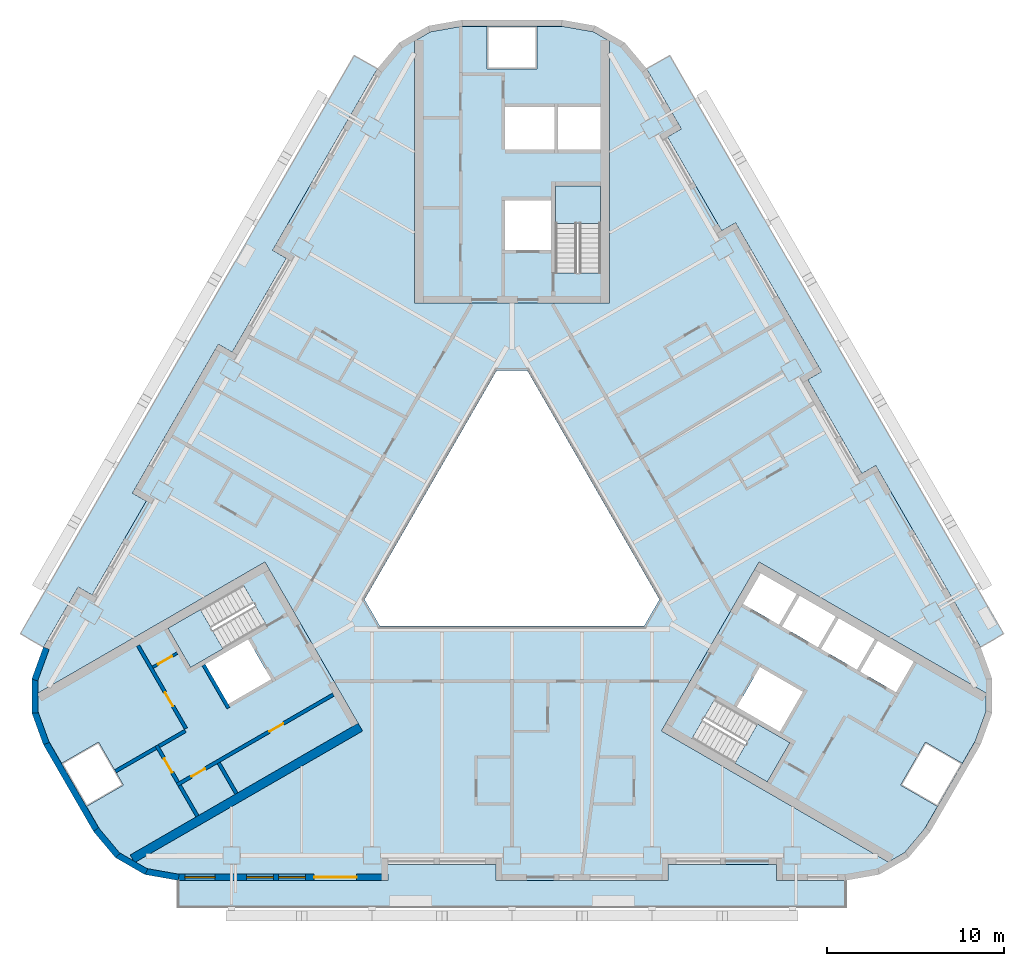
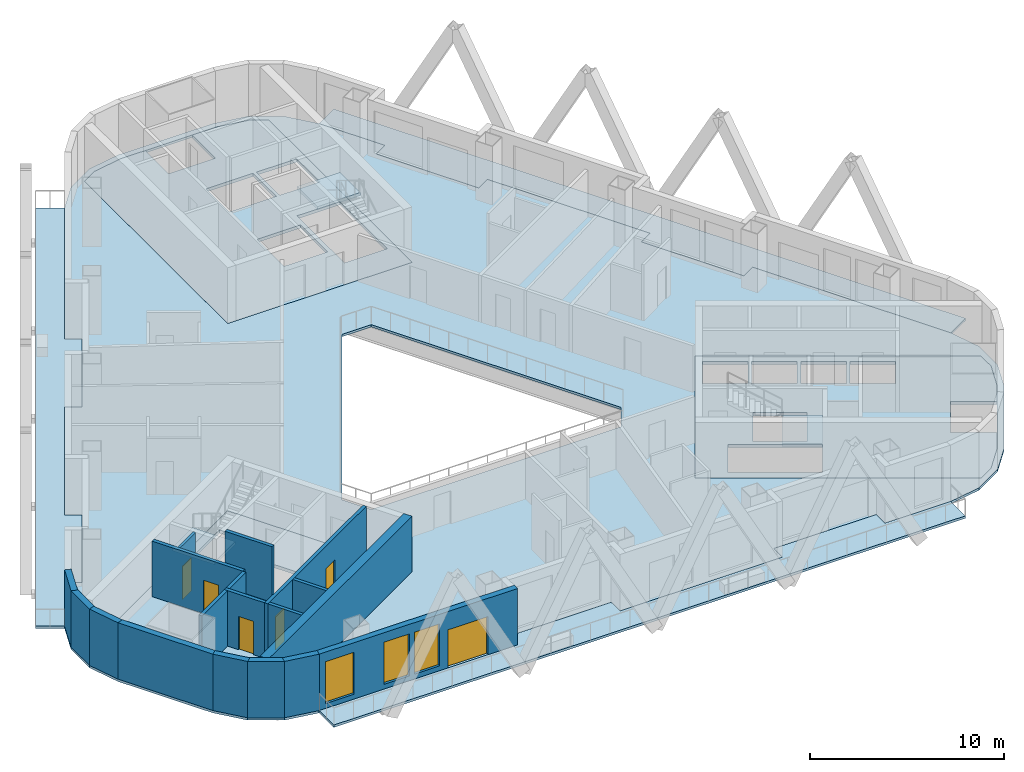
# One storey, part 2 of 13: 18 walls, 10 slabs, 6 doors, 3 windows, 9 openings, 3 elements without a shape of their own.
"""IFC4 building model written with IfcOpenShell, lengths in metres."""

from ifc_helpers import new_model, si_unit, direction, frame, frame_2d, origin, place, context, subcontext, project, spatial, polyline, rectangle, outline, extrude, material, layer, layer_set, type_object, element, fill, aggregate, save


model = new_model("IFC4")

# Units and contexts
model_context = context("Model", 3, precision=1e-05, world=origin(), true_north=direction((0.0, 1.0)))
body_context = subcontext(model_context, "Body", "Model", "MODEL_VIEW")
ifc_project = project(units=[si_unit("LENGTHUNIT", "METRE"), si_unit("AREAUNIT", "SQUARE_METRE"), si_unit("VOLUMEUNIT", "CUBIC_METRE"), si_unit("PLANEANGLEUNIT", "RADIAN"), si_unit("MASSUNIT", "GRAM", prefix="KILO")], contexts=[model_context])

# Site, building, storey
site_placement = place(None, origin())
site = spatial("IfcSite", under=ifc_project, at=site_placement, CompositionType="ELEMENT")
building_placement = place(site_placement, origin())
building = spatial("IfcBuilding", under=site, at=building_placement, Name="Apuvela Tower Hotel", CompositionType="ELEMENT")
storey_placement = place(building_placement, frame((0.0, 0.0, 61.300048828125)))
storey = spatial("IfcBuildingStorey", under=building, at=storey_placement, Name="L12", CompositionType="ELEMENT", Elevation=61.300048828125)

# Slabs
ifc_material_1 = material(Name="Concrete C50/60", Category="concrete")
ifc_layer_1 = layer(ifc_material_1, 0.199951171875)
ifc_layer_set_1 = layer_set([ifc_layer_1], Name="COR-FLOOR-200")
slab_type_1 = type_object("IfcSlabType", Name="COR-FLOOR-200", PredefinedType="FLOOR", material=ifc_layer_set_1)
slab_1_placement = place(storey_placement, frame((0.0, 0.0, -0.199951171875)))
element("IfcSlab", 1, at=slab_1_placement, inside=storey, type_object=slab_type_1, Name="Core floor N", PredefinedType="FLOOR", context=body_context, shape_type="SweptSolid", body=[
    extrude(outline(polyline([(5.5, 27.668212890625), (4.588623046875, 28.1943359375), (2.85498046875, 28.5), (1.39990234375, 28.5), (1.39990234375, 26.10009765625), (-1.39990234375, 26.10009765625), (-1.39990234375, 28.5), (-2.85498046875, 28.5), (-4.588623046875, 28.1943359375), (-5.5, 27.668212890625), (-5.5, 12.89990234375), (5.5, 12.89990234375), (5.5, 27.668212890625)]), holes=[polyline([(5.0, 14.60595703125), (2.449951171875, 14.60595703125), (2.449951171875, 19.5), (5.0, 19.5), (5.0, 14.60595703125)]), polyline([(2.199951171875, 15.89990234375), (-0.39990234375, 15.89990234375), (-0.39990234375, 18.699951171875), (2.199951171875, 18.699951171875), (2.199951171875, 15.89990234375)]), polyline([(5.0, 21.550048828125), (2.60009765625, 21.550048828125), (2.60009765625, 23.949951171875), (5.0, 23.949951171875), (5.0, 21.550048828125)]), polyline([(2.39990234375, 21.550048828125), (-0.39990234375, 21.550048828125), (-0.39990234375, 23.949951171875), (2.39990234375, 23.949951171875), (2.39990234375, 21.550048828125)])]), origin(), (0.0, 0.0, 1.0), 0.199951171875),
])
slab_2_placement = place(storey_placement, frame((0.0, 0.0, -0.199951171875)))
element("IfcSlab", 2, at=slab_2_placement, inside=storey, type_object=slab_type_1, Name="Core floor SW", PredefinedType="FLOOR", context=body_context, shape_type="SweptSolid", body=[
    extrude(outline(polyline([(-26.711181640625, -9.07080078125), (-26.711181640625, -10.123291015625), (-26.109375, -11.77734375), (-25.381591796875, -13.03759765625), (-23.30322265625, -11.837646484375), (-21.9033203125, -14.262451171875), (-23.981689453125, -15.46240234375), (-23.254150390625, -16.72265625), (-22.122802734375, -18.071044921875), (-21.211181640625, -18.59716796875), (-8.421630859375, -11.213134765625), (-13.921630859375, -1.68701171875), (-26.711181640625, -9.07080078125)]), holes=[polyline([(-13.874267578125, -5.18115234375), (-18.112548828125, -7.628173828125), (-19.387451171875, -5.419921875), (-15.149169921875, -2.972900390625), (-13.874267578125, -5.18115234375)]), polyline([(-13.56982421875, -8.29638671875), (-15.99462890625, -9.6962890625), (-17.294677734375, -7.444580078125), (-14.869873046875, -6.044677734375), (-13.56982421875, -8.29638671875)])]), origin(), (0.0, 0.0, 1.0), 0.199951171875),
])
slab_3_placement = place(storey_placement, frame((0.0, 0.0, -0.199951171875)))
element("IfcSlab", 3, at=slab_3_placement, inside=storey, type_object=slab_type_1, Name="Core floor SE", PredefinedType="FLOOR", context=body_context, shape_type="SweptSolid", body=[
    extrude(outline(polyline([(21.211181640625, -18.59716796875), (22.122802734375, -18.071044921875), (23.254150390625, -16.72265625), (23.981689453125, -15.46240234375), (21.9033203125, -14.262451171875), (23.30322265625, -11.837646484375), (25.381591796875, -13.03759765625), (26.109375, -11.77734375), (26.711181640625, -10.123291015625), (26.711181640625, -9.07080078125), (13.921630859375, -1.68701171875), (8.421630859375, -11.213134765625), (21.211181640625, -18.59716796875)]), holes=[polyline([(13.01806640625, -4.052001953125), (14.01806640625, -2.31982421875), (16.044677734375, -3.489990234375), (15.044677734375, -5.221923828125), (13.01806640625, -4.052001953125)]), polyline([(17.244384765625, -6.491943359375), (15.2177734375, -5.322021484375), (16.2177734375, -3.58984375), (18.244384765625, -4.760009765625), (17.244384765625, -6.491943359375)]), polyline([(14.387451171875, -14.080078125), (10.149169921875, -11.633056640625), (11.42431640625, -9.4248046875), (15.66259765625, -11.871826171875), (14.387451171875, -14.080078125)]), polyline([(12.669921875, -9.855224609375), (13.9697265625, -7.603515625), (16.394775390625, -9.003662109375), (15.0947265625, -11.25537109375), (12.669921875, -9.855224609375)]), polyline([(19.444091796875, -7.761962890625), (17.41748046875, -6.591796875), (18.41748046875, -4.85986328125), (20.444091796875, -6.02978515625), (19.444091796875, -7.761962890625)]), polyline([(21.643798828125, -9.031982421875), (19.6171875, -7.86181640625), (20.6171875, -6.1298828125), (22.643798828125, -7.2998046875), (21.643798828125, -9.031982421875)])]), origin(), (0.0, 0.0, 1.0), 0.199951171875),
])

# Stair, slab
stair_type = type_object("IfcStairType", Name="COR-STAIR-22R", PredefinedType="HALF_TURN_STAIR", material=ifc_material_1)
stair_1_placement = place(storey_placement, origin())
stair_1 = element("IfcStair", 4, at=stair_1_placement, inside=storey, type_object=stair_type, Name="L12 Exit stair ST1", PredefinedType="HALF_TURN_STAIR")
ifc_layer_2 = layer(ifc_material_1, 0.199951171875)
ifc_layer_set_2 = layer_set([ifc_layer_2], Name="COR-LANDING-200")
slab_type_2 = type_object("IfcSlabType", Name="COR-LANDING-200", PredefinedType="LANDING", material=ifc_layer_set_2)
slab_4_placement = place(storey_placement, frame((0.0, 0.0, 1.64990234375)))
slab_4 = element("IfcSlab", 5, at=slab_4_placement, type_object=slab_type_2, Name="ST1 landing 1", PredefinedType="LANDING", context=body_context, shape_type="SweptSolid", body=[
    extrude(outline(polyline([(5.0, 17.39404296875), (5.0, 19.5), (2.449951171875, 19.5), (2.449951171875, 17.39404296875), (5.0, 17.39404296875)])), origin(), (0.0, 0.0, 1.0), 0.199951171875),
])
aggregate(stair_1, [slab_4])

stair_2_placement = place(storey_placement, origin())
stair_2 = element("IfcStair", 6, at=stair_2_placement, inside=storey, type_object=stair_type, Name="L12 Exit stair ST2", PredefinedType="HALF_TURN_STAIR")
slab_5_placement = place(storey_placement, frame((0.0, 0.0, 1.64990234375)))
slab_5 = element("IfcSlab", 7, at=slab_5_placement, type_object=slab_type_2, Name="ST2 landing 1", PredefinedType="LANDING", context=body_context, shape_type="SweptSolid", body=[
    extrude(outline(polyline([(-17.563720703125, -4.366943359375), (-19.387451171875, -5.419921875), (-18.112548828125, -7.628173828125), (-16.28857421875, -6.5751953125), (-17.563720703125, -4.366943359375)])), origin(), (0.0, 0.0, 1.0), 0.199951171875),
])
aggregate(stair_2, [slab_5])

stair_3_placement = place(storey_placement, origin())
stair_3 = element("IfcStair", 8, at=stair_3_placement, inside=storey, type_object=stair_type, Name="L12 Exit stair ST3", PredefinedType="HALF_TURN_STAIR")
slab_6_placement = place(storey_placement, frame((0.0, 0.0, 1.64990234375)))
slab_6 = element("IfcSlab", 9, at=slab_6_placement, type_object=slab_type_2, Name="ST3 landing 1", PredefinedType="LANDING", context=body_context, shape_type="SweptSolid", body=[
    extrude(outline(polyline([(12.563720703125, -13.027099609375), (14.387451171875, -14.080078125), (15.66259765625, -11.871826171875), (13.838623046875, -10.81884765625), (12.563720703125, -13.027099609375)])), origin(), (0.0, 0.0, 1.0), 0.199951171875),
])
aggregate(stair_3, [slab_6])

# Slabs
ifc_material_2 = material(Name="Concrete C40/50, fair-faced", Category="concrete")
ifc_layer_3 = layer(ifc_material_2, 0.14990234375)
ifc_layer_set_3 = layer_set([ifc_layer_3], Name="ENV-BALCONY-150")
slab_type_3 = type_object("IfcSlabType", Name="ENV-BALCONY-150", PredefinedType="FLOOR", material=ifc_layer_set_3)
slab_7_placement = place(storey_placement, frame((0.0, 0.0, -0.150146484375)))
element("IfcSlab", 10, at=slab_7_placement, inside=storey, type_object=slab_type_3, Name="Balcony slab S L12", PredefinedType="FLOOR", context=body_context, shape_type="SweptSolid", body=[
    extrude(outline(polyline([(18.82080078125, -21.135009765625), (-18.82080078125, -21.135009765625), (-18.82080078125, -19.625), (-7.0048828125, -19.625), (-7.0048828125, -18.72509765625), (-0.89501953125, -18.72509765625), (-0.89501953125, -19.625), (8.794921875, -19.625), (8.794921875, -18.72509765625), (14.905029296875, -18.72509765625), (14.905029296875, -19.625), (18.82080078125, -19.625), (18.82080078125, -21.135009765625)])), origin(), (0.0, 0.0, 1.0), 0.150146484375),
])
slab_8_placement = place(storey_placement, frame((0.0, 0.0, -0.150146484375)))
element("IfcSlab", 11, at=slab_8_placement, inside=storey, type_object=slab_type_3, Name="Balcony slab NE L12", PredefinedType="FLOOR", context=body_context, shape_type="SweptSolid", body=[
    extrude(outline(polyline([(17.443359375, 9.037353515625), (12.598388671875, 17.42919921875), (11.81884765625, 16.979248046875), (8.763916015625, 22.2705078125), (9.543212890625, 22.720703125), (7.585205078125, 26.11181640625), (8.89306640625, 26.86669921875), (27.7138671875, -5.731689453125), (26.40625, -6.48681640625), (20.498291015625, 3.74609375), (19.71875, 3.2958984375), (16.663818359375, 8.58740234375), (17.443359375, 9.037353515625)])), origin(), (0.0, 0.0, 1.0), 0.150146484375),
])
slab_9_placement = place(storey_placement, frame((0.0, 0.0, -0.150146484375)))
element("IfcSlab", 12, at=slab_9_placement, inside=storey, type_object=slab_type_3, Name="Balcony slab NW L12", PredefinedType="FLOOR", context=body_context, shape_type="SweptSolid", body=[
    extrude(outline(polyline([(-27.7138671875, -5.731689453125), (-8.89306640625, 26.86669921875), (-7.585205078125, 26.11181640625), (-13.4931640625, 15.87890625), (-12.7138671875, 15.428955078125), (-15.768798828125, 10.1376953125), (-16.548095703125, 10.587646484375), (-21.393310546875, 2.19580078125), (-20.61376953125, 1.745849609375), (-23.668701171875, -3.545654296875), (-24.4482421875, -3.095703125), (-26.40625, -6.48681640625), (-27.7138671875, -5.731689453125)])), origin(), (0.0, 0.0, 1.0), 0.150146484375),
])
ifc_material_3 = material(Name="Concrete C35/45", Category="concrete")
ifc_layer_4 = layer(ifc_material_3, 0.14990234375)
ifc_layer_set_4 = layer_set([ifc_layer_4], Name="STR-SLAB 150 floor Concrete C35/45")
slab_type_4 = type_object("IfcSlabType", Name="STR-SLAB 150 floor Concrete C35/45", PredefinedType="FLOOR", material=ifc_layer_set_4)
slab_10_placement = place(storey_placement, frame((0.0, 0.0, -0.150146484375)))
element("IfcSlab", 13, at=slab_10_placement, inside=storey, type_object=slab_type_4, Name="Floor slab S4 L12", PredefinedType="FLOOR", context=body_context, shape_type="SweptSolid", body=[
    extrude(outline(polyline([(-6.3642578125, 27.5732421875), (-4.710205078125, 28.5283203125), (-2.8291015625, 28.860107421875), (2.8291015625, 28.860107421875), (4.710205078125, 28.5283203125), (6.3642578125, 27.5732421875), (7.59228515625, 26.110107421875), (9.550048828125, 22.71875), (8.770751953125, 22.268798828125), (11.82080078125, 16.986083984375), (12.60009765625, 17.43603515625), (17.4501953125, 9.035400390625), (16.670654296875, 8.58544921875), (19.720703125, 3.302734375), (20.5, 3.752685546875), (26.407958984375, -6.47998046875), (27.061279296875, -8.27490234375), (27.061279296875, -10.18505859375), (26.407958984375, -11.97998046875), (23.5791015625, -16.8798828125), (22.351318359375, -18.34326171875), (20.697021484375, -19.29833984375), (18.81591796875, -19.6298828125), (14.89990234375, -19.6298828125), (14.89990234375, -18.72998046875), (8.800048828125, -18.72998046875), (8.800048828125, -19.6298828125), (-0.89990234375, -19.6298828125), (-0.89990234375, -18.72998046875), (-7.0, -18.72998046875), (-7.0, -19.6298828125), (-18.81591796875, -19.6298828125), (-20.697021484375, -19.29833984375), (-22.351318359375, -18.34326171875), (-23.5791015625, -16.8798828125), (-26.407958984375, -11.97998046875), (-27.061279296875, -10.18505859375), (-27.061279296875, -8.27490234375), (-26.407958984375, -6.47998046875), (-24.4501953125, -3.088623046875), (-23.670654296875, -3.538818359375), (-20.62060546875, 1.743896484375), (-21.400146484375, 2.194091796875), (-16.550048828125, 10.594482421875), (-15.7705078125, 10.14453125), (-12.720703125, 15.42724609375), (-13.5, 15.877197265625), (-7.59228515625, 26.110107421875), (-6.3642578125, 27.5732421875)]), holes=[polyline([(0.865966796875, 9.10009765625), (-0.865966796875, 9.10009765625), (-8.313720703125, -3.800048828125), (-7.44775390625, -5.300048828125), (7.44775390625, -5.300048828125), (8.313720703125, -3.800048828125), (0.865966796875, 9.10009765625)]), polyline([(-5.5, 12.89990234375), (-5.5, 27.668212890625), (-4.588623046875, 28.1943359375), (-2.85498046875, 28.5), (2.85498046875, 28.5), (4.588623046875, 28.1943359375), (5.5, 27.668212890625), (5.5, 12.89990234375), (-5.5, 12.89990234375)]), polyline([(-8.421630859375, -11.213134765625), (-21.211181640625, -18.59716796875), (-22.122802734375, -18.071044921875), (-23.254150390625, -16.72265625), (-26.109375, -11.77734375), (-26.711181640625, -10.123291015625), (-26.711181640625, -9.07080078125), (-13.921630859375, -1.68701171875), (-8.421630859375, -11.213134765625)]), polyline([(13.921630859375, -1.68701171875), (26.711181640625, -9.07080078125), (26.711181640625, -10.123291015625), (26.109375, -11.77734375), (23.254150390625, -16.72265625), (22.122802734375, -18.071044921875), (21.211181640625, -18.59716796875), (8.421630859375, -11.213134765625), (13.921630859375, -1.68701171875)])]), origin(), (0.0, 0.0, 1.0), 0.150146484375),
])

# Wall
ifc_layer_5 = layer(ifc_material_1, 0.5)
ifc_layer_set_5 = layer_set([ifc_layer_5], Name="COR-WALL-CORE-500")
wall_type_1 = type_object("IfcWallType", Name="COR-WALL-CORE-500", PredefinedType="SHEAR", material=ifc_layer_set_5)
wall_1_placement = place(storey_placement, frame((-8.546630859375, -10.99658203125, 0.0), z_axis=(0.0, 0.0, 1.0), x_axis=(-0.866025009528, -0.500000682871, 0.0)))
element("IfcWall", 14, at=wall_1_placement, inside=storey, type_object=wall_type_1, Name="Core wall SW", PredefinedType="SHEAR", context=body_context, shape_type="SweptSolid", body=[
    extrude(rectangle(XDim=14.8369140625, YDim=0.5, at=frame_2d((7.41845703125, 0.0))), origin(), (0.0, 0.0, 1.0), 3.5),
])

# Wall, opening, door
ifc_material_4 = material(Name="Blockwork 150 mm plastered", Category="masonry")
ifc_layer_6 = layer(ifc_material_4, 0.14990234375)
ifc_layer_set_6 = layer_set([ifc_layer_6], Name="COR-WALL-PART-150")
wall_type_2 = type_object("IfcWallType", Name="COR-WALL-PART-150", PredefinedType="PARTITIONING", material=ifc_layer_set_6)
wall_2_placement = place(storey_placement, frame((-18.866455078125, -6.822265625, 0.0), z_axis=(0.0, 0.0, 1.0), x_axis=(-0.866028054938, -0.499995408039, 0.0)))
wall_2 = element("IfcWall", 15, at=wall_2_placement, inside=storey, type_object=wall_type_2, Name="Partition SW", PredefinedType="PARTITIONING", context=body_context, shape_type="SweptSolid", body=[
    extrude(rectangle(XDim=1.60009765625, YDim=0.14990234375, at=frame_2d((0.800048828125, 0.0))), origin(), (0.0, 0.0, 1.0), 3.5),
])
opening_1_placement = place(wall_2_placement, frame((0.35009765625, 0.0, 0.0)))
opening_1 = element("IfcOpeningElement", 16, at=opening_1_placement, cuts=wall_2, Name="Opening W-RD", PredefinedType="OPENING", context=body_context, shape_type="SweptSolid", body=[
    extrude(rectangle(XDim=0.89990234375, YDim=2.10009765625, at=frame_2d((0.449951171875, 1.050048828125))), frame((0.0, 0.0849609375, 0.0), z_axis=(0.0, -1.0, 0.0), x_axis=(1.0, 0.0, 0.0)), (0.0, 0.0, 1.0), 0.169921875),
])
ifc_material_5 = material(Name="Steel access door, powder coated", Category="steel")
door_type_1 = type_object("IfcDoorType", Name="COR-RD-900", OperationType="NOTDEFINED", PredefinedType="DOOR", material=ifc_material_5)
door_1_placement = place(opening_1_placement, frame((0.89990234375, 0.0, 0.0), z_axis=(0.0, 0.0, 1.0), x_axis=(-1.0, 0.0, 0.0)))
door_1 = element("IfcDoor", 17, at=door_1_placement, inside=storey, type_object=door_type_1, Name="Riser door W-RD", OperationType="SINGLE_SWING_RIGHT", OverallHeight=2.10009765625, OverallWidth=0.89990234375, PredefinedType="DOOR", context=body_context, shape_type="SweptSolid", body=[
    extrude(rectangle(XDim=0.89990234375, YDim=2.10009765625, at=frame_2d((0.449951171875, 1.050048828125))), frame((0.0, 0.02490234375, 0.0), z_axis=(0.0, -1.0, 0.0), x_axis=(1.0, 0.0, 0.0)), (0.0, 0.0, 1.0), 0.050048828125),
])
fill(opening_1, door_1)

ifc_material_6 = material(Name="Blockwork 200 mm plastered", Category="masonry")
ifc_layer_7 = layer(ifc_material_6, 0.199951171875)
ifc_layer_set_7 = layer_set([ifc_layer_7], Name="COR-WALL-PART-200")
wall_type_3 = type_object("IfcWallType", Name="COR-WALL-PART-200", PredefinedType="PARTITIONING", material=ifc_layer_set_7)
wall_3_placement = place(storey_placement, frame((-21.076171875, -6.39501953125, 0.0), z_axis=(0.0, 0.0, 1.0), x_axis=(0.50001468107, -0.866016927499, 0.0)))
wall_3 = element("IfcWall", 18, at=wall_3_placement, inside=storey, type_object=wall_type_3, Name="Partition SW", PredefinedType="PARTITIONING", context=body_context, shape_type="SweptSolid", body=[
    extrude(rectangle(XDim=5.399658203125, YDim=0.199951171875, at=frame_2d((2.69970703125, 0.0))), origin(), (0.0, 0.0, 1.0), 3.5),
])
opening_2_placement = place(wall_3_placement, frame((3.050048828125, 0.0, 0.0)))
opening_2 = element("IfcOpeningElement", 19, at=opening_2_placement, cuts=wall_3, Name="Opening W-RS1", PredefinedType="OPENING", context=body_context, shape_type="SweptSolid", body=[
    extrude(rectangle(XDim=0.89990234375, YDim=2.10009765625, at=frame_2d((0.449951171875, 1.050048828125))), frame((0.0, 0.10986328125, 0.0), z_axis=(0.0, -1.0, 0.0), x_axis=(1.0, 0.0, 0.0)), (0.0, 0.0, 1.0), 0.219970703125),
])
ifc_material_7 = material(Name="Steel fire door, powder coated", Category="steel")
door_type_2 = type_object("IfcDoorType", Name="COR-DR-900", OperationType="NOTDEFINED", PredefinedType="DOOR", material=ifc_material_7)
door_2_placement = place(opening_2_placement, frame((0.89990234375, 0.0, 0.0), z_axis=(0.0, 0.0, 1.0), x_axis=(-1.0, 0.0, 0.0)))
door_2 = element("IfcDoor", 20, at=door_2_placement, inside=storey, type_object=door_type_2, Name="Store door W-RS1", OperationType="SINGLE_SWING_LEFT", OverallHeight=2.10009765625, OverallWidth=0.89990234375, PredefinedType="DOOR", context=body_context, shape_type="SweptSolid", body=[
    extrude(rectangle(XDim=0.89990234375, YDim=2.10009765625, at=frame_2d((0.449951171875, 1.050048828125))), frame((0.0, 0.02490234375, 0.0), z_axis=(0.0, -1.0, 0.0), x_axis=(1.0, 0.0, 0.0)), (0.0, 0.0, 1.0), 0.050048828125),
])
fill(opening_2, door_2)

# Wall
ifc_layer_8 = layer(ifc_material_1, 0.199951171875)
ifc_layer_set_8 = layer_set([ifc_layer_8], Name="COR-WALL-SHAFT-200")
wall_type_4 = type_object("IfcWallType", Name="COR-WALL-SHAFT-200", PredefinedType="SHEAR", material=ifc_layer_set_8)
wall_4_placement = place(storey_placement, frame((-17.38134765625, -7.49462890625, 0.0), z_axis=(0.0, 0.0, 1.0), x_axis=(0.500011755427, -0.866018616679, 0.0)))
element("IfcWall", 21, at=wall_4_placement, inside=storey, type_object=wall_type_4, Name="Shaft wall SW", PredefinedType="SHEAR", context=body_context, shape_type="SweptSolid", body=[
    extrude(rectangle(XDim=2.80029296875, YDim=0.199951171875, at=frame_2d((1.400146484375, 0.0))), origin(), (0.0, 0.0, 1.0), 3.5),
])

# Wall, openings, doors
wall_5_placement = place(storey_placement, frame((-10.068115234375, -9.16162109375, 0.0), z_axis=(0.0, 0.0, 1.0), x_axis=(-0.866032725843, -0.499987317609, 0.0)))
wall_5 = element("IfcWall", 22, at=wall_5_placement, inside=storey, type_object=wall_type_4, Name="Shaft wall SW", PredefinedType="SHEAR", context=body_context, shape_type="SweptSolid", body=[
    extrude(rectangle(XDim=10.159912109375, YDim=0.199951171875, at=frame_2d((5.080078125, 0.0))), origin(), (0.0, 0.0, 1.0), 3.5),
])
opening_3_placement = place(wall_5_placement, frame((3.260009765625, 0.0, 0.0)))
opening_3 = element("IfcOpeningElement", 23, at=opening_3_placement, cuts=wall_5, Name="Opening W-RE1", PredefinedType="OPENING", context=body_context, shape_type="SweptSolid", body=[
    extrude(rectangle(XDim=0.89990234375, YDim=2.10009765625, at=frame_2d((0.449951171875, 1.050048828125))), frame((0.0, 0.10986328125, 0.0), z_axis=(0.0, -1.0, 0.0), x_axis=(1.0, 0.0, 0.0)), (0.0, 0.0, 1.0), 0.219970703125),
])
opening_4_placement = place(wall_5_placement, frame((8.340087890625, 0.0, 0.0)))
opening_4 = element("IfcOpeningElement", 24, at=opening_4_placement, cuts=wall_5, Name="Opening W-RE4", PredefinedType="OPENING", context=body_context, shape_type="SweptSolid", body=[
    extrude(rectangle(XDim=0.89990234375, YDim=2.10009765625, at=frame_2d((0.449951171875, 1.050048828125))), frame((0.0, 0.10986328125, 0.0), z_axis=(0.0, -1.0, 0.0), x_axis=(1.0, 0.0, 0.0)), (0.0, 0.0, 1.0), 0.219970703125),
])
door_3_placement = place(opening_3_placement, origin())
door_3 = element("IfcDoor", 25, at=door_3_placement, inside=storey, type_object=door_type_2, Name="Store door W-RE1", OperationType="SINGLE_SWING_LEFT", OverallHeight=2.10009765625, OverallWidth=0.89990234375, PredefinedType="DOOR", context=body_context, shape_type="SweptSolid", body=[
    extrude(rectangle(XDim=0.89990234375, YDim=2.10009765625, at=frame_2d((0.449951171875, 1.050048828125))), frame((0.0, 0.02490234375, 0.0), z_axis=(0.0, -1.0, 0.0), x_axis=(1.0, 0.0, 0.0)), (0.0, 0.0, 1.0), 0.050048828125),
])
fill(opening_3, door_3)
door_4_placement = place(opening_4_placement, origin())
door_4 = element("IfcDoor", 26, at=door_4_placement, inside=storey, type_object=door_type_2, Name="Store door W-RE4", OperationType="SINGLE_SWING_RIGHT", OverallHeight=2.10009765625, OverallWidth=0.89990234375, PredefinedType="DOOR", context=body_context, shape_type="SweptSolid", body=[
    extrude(rectangle(XDim=0.89990234375, YDim=2.10009765625, at=frame_2d((0.449951171875, 1.050048828125))), frame((0.0, 0.02490234375, 0.0), z_axis=(0.0, -1.0, 0.0), x_axis=(1.0, 0.0, 0.0)), (0.0, 0.0, 1.0), 0.050048828125),
])
fill(opening_4, door_4)

# Wall, opening, door
wall_6_placement = place(storey_placement, frame((-20.030517578125, -12.0263671875, 0.0), z_axis=(0.0, 0.0, 1.0), x_axis=(0.500033551112, -0.866006032174, 0.0)))
wall_6 = element("IfcWall", 27, at=wall_6_placement, inside=storey, type_object=wall_type_4, Name="Shaft wall SW", PredefinedType="SHEAR", context=body_context, shape_type="SweptSolid", body=[
    extrude(rectangle(XDim=2.400146484375, YDim=0.199951171875, at=frame_2d((1.2001953125, 0.0))), origin(), (0.0, 0.0, 1.0), 3.5),
])
opening_5_placement = place(wall_6_placement, frame((0.85009765625, 0.0, 0.0)))
opening_5 = element("IfcOpeningElement", 28, at=opening_5_placement, cuts=wall_6, Name="Opening W-REP", PredefinedType="OPENING", context=body_context, shape_type="SweptSolid", body=[
    extrude(rectangle(XDim=0.89990234375, YDim=2.10009765625, at=frame_2d((0.449951171875, 1.050048828125))), frame((0.0, 0.10986328125, 0.0), z_axis=(0.0, -1.0, 0.0), x_axis=(1.0, 0.0, 0.0)), (0.0, 0.0, 1.0), 0.219970703125),
])
door_5_placement = place(opening_5_placement, frame((0.89990234375, 0.0, 0.0), z_axis=(0.0, 0.0, 1.0), x_axis=(-1.0, 0.0, 0.0)))
door_5 = element("IfcDoor", 29, at=door_5_placement, inside=storey, type_object=door_type_2, Name="Store door W-REP", OperationType="SINGLE_SWING_LEFT", OverallHeight=2.10009765625, OverallWidth=0.89990234375, PredefinedType="DOOR", context=body_context, shape_type="SweptSolid", body=[
    extrude(rectangle(XDim=0.89990234375, YDim=2.10009765625, at=frame_2d((0.449951171875, 1.050048828125))), frame((0.0, 0.02490234375, 0.0), z_axis=(0.0, -1.0, 0.0), x_axis=(1.0, 0.0, 0.0)), (0.0, 0.0, 1.0), 0.050048828125),
])
fill(opening_5, door_5)

# Walls
wall_7_placement = place(storey_placement, frame((-18.412841796875, -11.2080078125, 0.0), z_axis=(0.0, 0.0, 1.0), x_axis=(-0.866038183914, -0.499977863513, 0.0)))
element("IfcWall", 30, at=wall_7_placement, inside=storey, type_object=wall_type_4, Name="Shaft wall SW", PredefinedType="SHEAR", context=body_context, shape_type="SweptSolid", body=[
    extrude(rectangle(XDim=1.7099609375, YDim=0.199951171875, at=frame_2d((0.85498046875, 0.0))), origin(), (0.0, 0.0, 1.0), 3.5),
])
for number, where, z_axis, x_axis, name in (
    (31, (-16.530517578125, -13.008056640625, 0.0), (0.0, 0.0, 1.0), (0.50002537861, -0.866010750942, 0.0), "Shaft wall SW"),
    (32, (-18.73046875, -14.278076171875, 0.0), (0.0, 0.0, 1.0), (0.50002537861, -0.866010750942, 0.0), "Shaft wall SW"),
):
    element("IfcWall", number, at=place(storey_placement, frame(where, z_axis=z_axis, x_axis=x_axis)), inside=storey, type_object=wall_type_4, Name=name, PredefinedType="SHEAR", context=body_context, shape_type="SweptSolid", body=[
        extrude(rectangle(XDim=2.0, YDim=0.199951171875, at=frame_2d((1.0, 0.0))), origin(), (0.0, 0.0, 1.0), 3.5),
    ])
wall_8_placement = place(storey_placement, frame((-20.06689453125, -12.1630859375, 0.0), z_axis=(0.0, 0.0, 1.0), x_axis=(-0.866060851709, -0.499938597367, 0.0)))
element("IfcWall", 33, at=wall_8_placement, inside=storey, type_object=wall_type_4, Name="Shaft wall SW", PredefinedType="SHEAR", context=body_context, shape_type="SweptSolid", body=[
    extrude(rectangle(XDim=2.639892578125, YDim=0.199951171875, at=frame_2d((1.31982421875, 0.0))), origin(), (0.0, 0.0, 1.0), 3.5),
])
ifc_material_8 = material(Name="Concrete C40/50, dark pigmented precast panel", Category="concrete")
ifc_layer_9 = layer(ifc_material_8, 0.35009765625)
ifc_layer_set_9 = layer_set([ifc_layer_9], Name="ENV-WALL-350")
wall_type_5 = type_object("IfcWallType", Name="ENV-WALL-350", PredefinedType="SOLIDWALL", material=ifc_layer_set_9)
for number, where, z_axis, x_axis, name in (
    (34, (-26.24365234375, -6.539794921875, 0.0), (0.0, 0.0, 1.0), (-0.342030395486, -0.939688889242, 0.0), "External wall L12-10"),
    (35, (-26.88623046875, -8.27490234375, 0.0), (0.0, 0.0, 1.0), (0.0, -1.0, 0.0), "External wall L12-11"),
    (36, (-26.89697265625, -10.125244140625, 0.0), (0.0, 0.0, 1.0), (0.342030395486, -0.939688889242, 0.0), "External wall L12-12"),
):
    element("IfcWall", number, at=place(storey_placement, frame(where, z_axis=z_axis, x_axis=x_axis)), inside=storey, type_object=wall_type_5, Name=name, PredefinedType="SOLIDWALL", context=body_context, shape_type="SweptSolid", body=[
        extrude(rectangle(XDim=1.91015625, YDim=0.35009765625, at=frame_2d((0.955078125, 0.0))), origin(), (0.0, 0.0, 1.0), 3.550048828125),
    ])
wall_9_placement = place(storey_placement, frame((-26.256591796875, -11.892578125, 0.0), z_axis=(0.0, 0.0, 1.0), x_axis=(0.500018773155, -0.866014564827, 0.0)))
element("IfcWall", 37, at=wall_9_placement, inside=storey, type_object=wall_type_5, Name="External wall L12-13", PredefinedType="SOLIDWALL", context=body_context, shape_type="SweptSolid", body=[
    extrude(rectangle(XDim=5.657958984375, YDim=0.35009765625, at=frame_2d((2.8291015625, 0.0))), origin(), (0.0, 0.0, 1.0), 3.550048828125),
])
for number, where, z_axis, x_axis, name in (
    (38, (-23.44482421875, -16.767578125, 0.0), (0.0, 0.0, 1.0), (0.642733291068, -0.76609001857, 0.0), "External wall L12-14"),
    (39, (-22.263671875, -18.191650390625, 0.0), (0.0, 0.0, 1.0), (0.866000389056, -0.500043324278, 0.0), "External wall L12-15"),
):
    element("IfcWall", number, at=place(storey_placement, frame(where, z_axis=z_axis, x_axis=x_axis)), inside=storey, type_object=wall_type_5, Name=name, PredefinedType="SOLIDWALL", context=body_context, shape_type="SweptSolid", body=[
        extrude(rectangle(XDim=1.909912109375, YDim=0.35009765625, at=frame_2d((0.955078125, 0.0))), origin(), (0.0, 0.0, 1.0), 3.550048828125),
    ])
wall_10_placement = place(storey_placement, frame((-20.66650390625, -19.1259765625, 0.0), z_axis=(0.0, 0.0, 1.0), x_axis=(0.984798995425, -0.173697837091, 0.0)))
element("IfcWall", 40, at=wall_10_placement, inside=storey, type_object=wall_type_5, Name="External wall L12-16", PredefinedType="SOLIDWALL", context=body_context, shape_type="SweptSolid", body=[
    extrude(rectangle(XDim=1.91015625, YDim=0.35009765625, at=frame_2d((0.955078125, 0.0))), origin(), (0.0, 0.0, 1.0), 3.550048828125),
])

# Wall, openings, door, windows
wall_11_placement = place(storey_placement, frame((-18.81591796875, -19.455078125, 0.0), z_axis=(0.0, 0.0, 1.0), x_axis=(1.0, 0.0, 0.0)))
wall_11 = element("IfcWall", 41, at=wall_11_placement, inside=storey, type_object=wall_type_5, Name="External wall L12-17", PredefinedType="SOLIDWALL", context=body_context, shape_type="SweptSolid", body=[
    extrude(rectangle(XDim=11.81591796875, YDim=0.35009765625, at=frame_2d((5.907958984375, 0.0))), origin(), (0.0, 0.0, 1.0), 3.550048828125),
])
opening_6_placement = place(wall_11_placement, frame((0.380615234375, 0.0, 0.300048828125)))
opening_6 = element("IfcOpeningElement", 42, at=opening_6_placement, cuts=wall_11, Name="Opening WN17", PredefinedType="OPENING", context=body_context, shape_type="SweptSolid", body=[
    extrude(rectangle(XDim=1.699951171875, YDim=2.64990234375, at=frame_2d((0.85009765625, 1.324951171875))), frame((0.0, 0.18505859375, 0.0), z_axis=(0.0, -1.0, 0.0), x_axis=(1.0, 0.0, 0.0)), (0.0, 0.0, 1.0), 0.3701171875),
])
opening_7_placement = place(wall_11_placement, frame((7.665283203125, 0.0, 0.0)))
opening_7 = element("IfcOpeningElement", 43, at=opening_7_placement, cuts=wall_11, Name="Opening BD24", PredefinedType="OPENING", context=body_context, shape_type="SweptSolid", body=[
    extrude(rectangle(XDim=2.39990234375, YDim=2.39990234375, at=frame_2d((1.199951171875, 1.199951171875))), frame((0.0, 0.18505859375, 0.0), z_axis=(0.0, -1.0, 0.0), x_axis=(1.0, 0.0, 0.0)), (0.0, 0.0, 1.0), 0.3701171875),
])
opening_8_placement = place(wall_11_placement, frame((3.865966796875, 0.0, 0.300048828125)))
opening_8 = element("IfcOpeningElement", 44, at=opening_8_placement, cuts=wall_11, Name="Opening WN15", PredefinedType="OPENING", context=body_context, shape_type="SweptSolid", body=[
    extrude(rectangle(XDim=1.5, YDim=2.64990234375, at=frame_2d((0.75, 1.324951171875))), frame((0.0, 0.18505859375, 0.0), z_axis=(0.0, -1.0, 0.0), x_axis=(1.0, 0.0, 0.0)), (0.0, 0.0, 1.0), 0.3701171875),
])
opening_9_placement = place(wall_11_placement, frame((5.666015625, 0.0, 0.300048828125)))
opening_9 = element("IfcOpeningElement", 45, at=opening_9_placement, cuts=wall_11, Name="Opening WN15", PredefinedType="OPENING", context=body_context, shape_type="SweptSolid", body=[
    extrude(rectangle(XDim=1.5, YDim=2.64990234375, at=frame_2d((0.75, 1.324951171875))), frame((0.0, 0.18505859375, 0.0), z_axis=(0.0, -1.0, 0.0), x_axis=(1.0, 0.0, 0.0)), (0.0, 0.0, 1.0), 0.3701171875),
])
ifc_material_9 = material(Name="Aluminium 6063-T6, dark bronze anodised frame with dark tinted laminated glass", Category="aluminium")
door_type_3 = type_object("IfcDoorType", Name="ENV-DOOR-BALCONY-2400x2400", OperationType="SLIDING_TO_LEFT", PredefinedType="DOOR", material=ifc_material_9)
door_6_placement = place(opening_7_placement, frame((2.39990234375, 0.0, 0.0), z_axis=(0.0, 0.0, 1.0), x_axis=(-1.0, 0.0, 0.0)))
door_6 = element("IfcDoor", 46, at=door_6_placement, inside=storey, type_object=door_type_3, Name="Balcony door BD24", OperationType="SLIDING_TO_LEFT", OverallHeight=2.39990234375, OverallWidth=2.39990234375, PredefinedType="DOOR", context=body_context, shape_type="SweptSolid", body=[
    extrude(rectangle(XDim=2.39990234375, YDim=2.39990234375, at=frame_2d((1.199951171875, 1.199951171875))), frame((0.0, 0.02490234375, 0.0), z_axis=(0.0, -1.0, 0.0), x_axis=(1.0, 0.0, 0.0)), (0.0, 0.0, 1.0), 0.050048828125),
])
fill(opening_7, door_6)
ifc_material_10 = material(Name="Glass, dark tinted laminated insulated glazing unit", Category="glass")
window_type_1 = type_object("IfcWindowType", Name="ENV-WIN-1500x2650", PartitioningType="SINGLE_PANEL", PredefinedType="WINDOW", material=ifc_material_10)
window_1_placement = place(opening_8_placement, origin())
window_1 = element("IfcWindow", 47, at=window_1_placement, inside=storey, type_object=window_type_1, Name="Window WN15", OverallHeight=2.64990234375, OverallWidth=1.5, PartitioningType="SINGLE_PANEL", PredefinedType="WINDOW", context=body_context, shape_type="SweptSolid", body=[
    extrude(rectangle(XDim=1.5, YDim=2.64990234375, at=frame_2d((0.75, 1.324951171875))), frame((0.0, 0.030029296875, 0.0), z_axis=(0.0, -1.0, 0.0), x_axis=(1.0, 0.0, 0.0)), (0.0, 0.0, 1.0), 0.06005859375),
])
fill(opening_8, window_1)
window_2_placement = place(opening_9_placement, origin())
window_2 = element("IfcWindow", 48, at=window_2_placement, inside=storey, type_object=window_type_1, Name="Window WN15", OverallHeight=2.64990234375, OverallWidth=1.5, PartitioningType="SINGLE_PANEL", PredefinedType="WINDOW", context=body_context, shape_type="SweptSolid", body=[
    extrude(rectangle(XDim=1.5, YDim=2.64990234375, at=frame_2d((0.75, 1.324951171875))), frame((0.0, 0.030029296875, 0.0), z_axis=(0.0, -1.0, 0.0), x_axis=(1.0, 0.0, 0.0)), (0.0, 0.0, 1.0), 0.06005859375),
])
fill(opening_9, window_2)
window_type_2 = type_object("IfcWindowType", Name="ENV-WIN-1700x2650", PartitioningType="SINGLE_PANEL", PredefinedType="WINDOW", material=ifc_material_10)
window_3_placement = place(opening_6_placement, origin())
window_3 = element("IfcWindow", 49, at=window_3_placement, inside=storey, type_object=window_type_2, Name="Window WN17", OverallHeight=2.64990234375, OverallWidth=1.699951171875, PartitioningType="SINGLE_PANEL", PredefinedType="WINDOW", context=body_context, shape_type="SweptSolid", body=[
    extrude(rectangle(XDim=1.699951171875, YDim=2.64990234375, at=frame_2d((0.85009765625, 1.324951171875))), frame((0.0, 0.030029296875, 0.0), z_axis=(0.0, -1.0, 0.0), x_axis=(1.0, 0.0, 0.0)), (0.0, 0.0, 1.0), 0.06005859375),
])
fill(opening_6, window_3)

save(model, "model.ifc")
